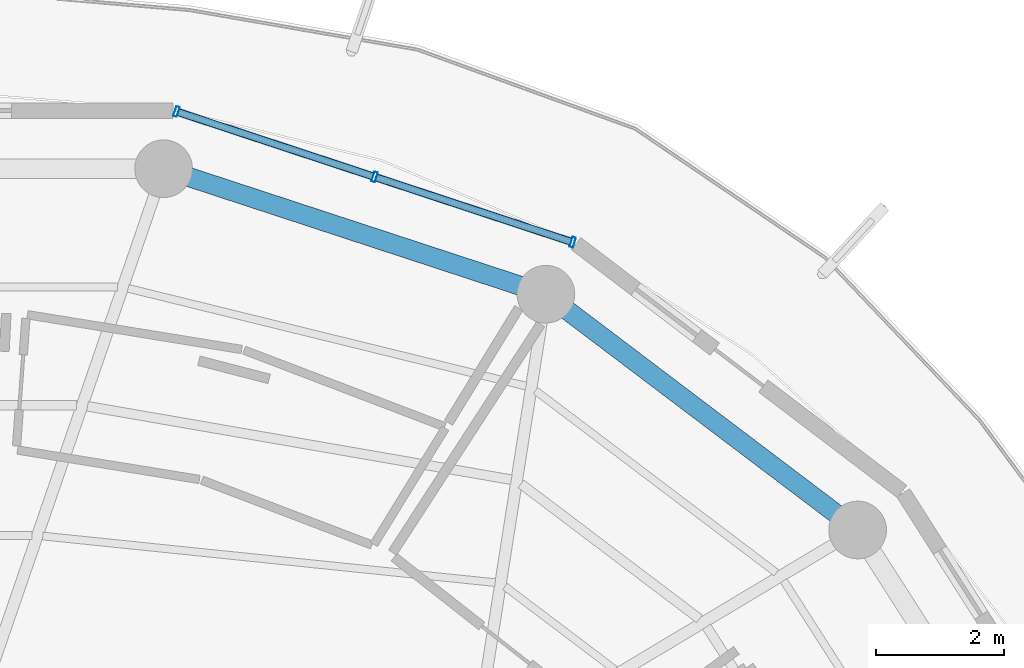
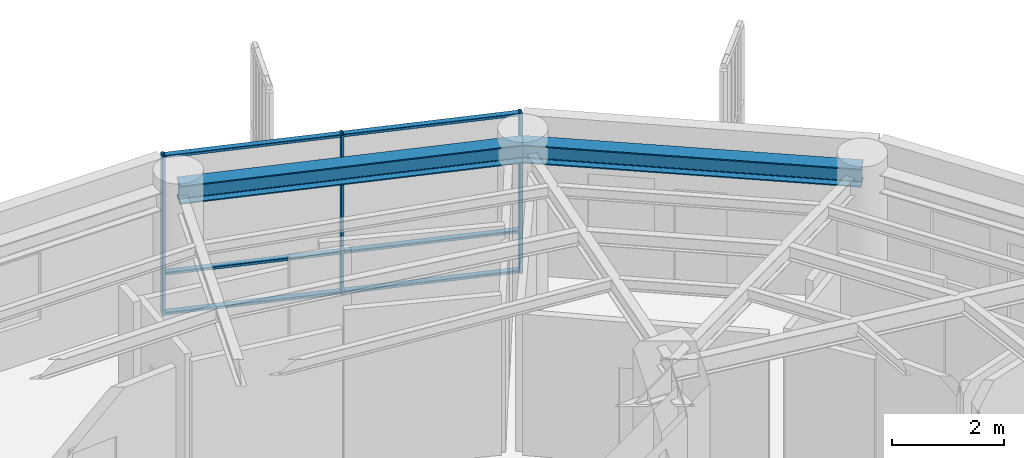
# One storey, part 13 of 22: 9 members, 2 beams, 1 element without a shape of its own.
"""IFC4 building model written with IfcOpenShell, lengths in metres."""

from ifc_helpers import new_model, si_unit, direction, frame, origin, origin_2d, place, context, subcontext, project, spatial, hollow_rectangle, i_section, extrude, material, layer, layer_set, material_profile, profile_set, type_object, element, aggregate, save


model = new_model("IFC4")

# Units and contexts
model_context = context("Model", 3, precision=1e-05, world=origin(), true_north=direction((0.0, 1.0)))
body_context = subcontext(model_context, "Body", "Model", "MODEL_VIEW")
ifc_project = project(units=[si_unit("LENGTHUNIT", "METRE"), si_unit("AREAUNIT", "SQUARE_METRE"), si_unit("VOLUMEUNIT", "CUBIC_METRE"), si_unit("PLANEANGLEUNIT", "RADIAN"), si_unit("MASSUNIT", "GRAM", prefix="KILO")], contexts=[model_context])

# Site, building, storey
site_placement = place(None, origin())
site = spatial("IfcSite", under=ifc_project, at=site_placement, CompositionType="ELEMENT")
building_placement = place(site_placement, origin())
building = spatial("IfcBuilding", under=site, at=building_placement, Name="Kelanora Arch Commons", CompositionType="ELEMENT")
storey_placement = place(building_placement, frame((0.0, 0.0, 267.449951171875)))
storey = spatial("IfcBuildingStorey", under=building, at=storey_placement, Name="L68", CompositionType="ELEMENT", Elevation=267.449951171875)

# Beams
ifc_material_1 = material(Name="Steel S355", Category="steel")
ifc_material_profile_1 = material_profile(ifc_material_1, i_section(OverallWidth=0.300048828125, OverallDepth=0.39990234375, WebThickness=0.013427734375, FlangeThickness=0.02392578125, FilletRadius=0.027099609375, at=origin_2d()), Name="HEB400")
ifc_profile_set_1 = profile_set([ifc_material_profile_1], Name="Steel S355")
beam_type = type_object("IfcBeamType", Name="BM-SPN-Z4", PredefinedType="SPANDREL", material=ifc_profile_set_1)
beam_1_placement = place(storey_placement, frame((88.00341796875, 68.593017578125, 3.2900390625), z_axis=(-0.797509460967, 0.603306439273, 0.0), x_axis=(-0.603306439273, -0.797509460967, 0.0)))
element("IfcBeam", 1, at=beam_1_placement, inside=storey, type_object=beam_type, Name="Perimeter Spandrel Beam BS-04 L68", PredefinedType="SPANDREL", context=body_context, shape_type="SweptSolid", body=[
    extrude(i_section(OverallWidth=0.300048828125, OverallDepth=0.39990234375, WebThickness=0.013427734375, FlangeThickness=0.02392578125, FilletRadius=0.027099609375, at=origin_2d()), origin(), (0.0, 0.0, 1.0), 6.098388671875),
])
beam_2_placement = place(storey_placement, frame((83.139892578125, 72.272216796875, 3.2900390625), z_axis=(-0.950165923039, 0.311744636996, 0.0), x_axis=(-0.311744636996, -0.950165923039, 0.0)))
element("IfcBeam", 2, at=beam_2_placement, inside=storey, type_object=beam_type, Name="Perimeter Spandrel Beam BS-06 L68", PredefinedType="SPANDREL", context=body_context, shape_type="SweptSolid", body=[
    extrude(i_section(OverallWidth=0.300048828125, OverallDepth=0.39990234375, WebThickness=0.013427734375, FlangeThickness=0.02392578125, FilletRadius=0.027099609375, at=origin_2d()), origin(), (0.0, 0.0, 1.0), 6.278564453125),
])

# Curtain wall, members
ifc_material_2 = material(Name="Terracotta ceramic-fritted low-E glass and aluminium", Category="masonry")
ifc_layer = layer(ifc_material_2, 0.18994140625)
ifc_layer_set = layer_set([ifc_layer], Name="Terracotta ceramic-fritted low-E glass and aluminium")
curtain_wall_type = type_object("IfcCurtainWallType", Name="CW-SYS-03", PredefinedType="NOTDEFINED", material=ifc_layer_set)
curtain_wall_placement = place(storey_placement, origin())
curtain_wall = element("IfcCurtainWall", 3, at=curtain_wall_placement, inside=storey, type_object=curtain_wall_type, Name="Unitised Curtain Wall L68-B03", PredefinedType="NOTDEFINED")
ifc_material_3 = material(Name="Powder-coated aluminium terracotta", Category="masonry")
ifc_material_profile_2 = material_profile(ifc_material_3, hollow_rectangle(XDim=0.159912109375, YDim=0.06005859375, WallThickness=0.0048828125, InnerFilletRadius=0.0048828125, OuterFilletRadius=0.010009765625, at=origin_2d()), Name="CWM160x60")
ifc_profile_set_2 = profile_set([ifc_material_profile_2], Name="Powder-coated aluminium terracotta")
member_type_1 = type_object("IfcMemberType", Name="CWM-STD", PredefinedType="MULLION", material=ifc_profile_set_2)
member_1_placement = place(storey_placement, frame((83.557373046875, 73.0830078125, 0.0), z_axis=(0.0, 0.0, 1.0), x_axis=(-0.313252785344, -0.949669780752, 0.0)))
member_1 = element("IfcMember", 4, at=member_1_placement, type_object=member_type_1, Name="CW-03 mullion 1", PredefinedType="MULLION", context=body_context, shape_type="SweptSolid", body=[
    extrude(hollow_rectangle(XDim=0.159912109375, YDim=0.06005859375, WallThickness=0.0048828125, InnerFilletRadius=0.0048828125, OuterFilletRadius=0.010009765625, at=origin_2d()), origin(), (0.0, 0.0, 1.0), 3.47509765625),
])
member_2_placement = place(storey_placement, frame((80.467041015625, 74.102294921875, 0.0), z_axis=(0.0, 0.0, 1.0), x_axis=(-0.313252785344, -0.949669780752, 0.0)))
member_2 = element("IfcMember", 5, at=member_2_placement, type_object=member_type_1, Name="CW-03 mullion 2", PredefinedType="MULLION", context=body_context, shape_type="SweptSolid", body=[
    extrude(hollow_rectangle(XDim=0.159912109375, YDim=0.06005859375, WallThickness=0.0048828125, InnerFilletRadius=0.0048828125, OuterFilletRadius=0.010009765625, at=origin_2d()), origin(), (0.0, 0.0, 1.0), 3.47509765625),
])
member_3_placement = place(storey_placement, frame((77.376708984375, 75.12158203125, 0.0), z_axis=(0.0, 0.0, 1.0), x_axis=(-0.313252785344, -0.949669780752, 0.0)))
member_3 = element("IfcMember", 6, at=member_3_placement, type_object=member_type_1, Name="CW-03 mullion 3", PredefinedType="MULLION", context=body_context, shape_type="SweptSolid", body=[
    extrude(hollow_rectangle(XDim=0.159912109375, YDim=0.06005859375, WallThickness=0.0048828125, InnerFilletRadius=0.0048828125, OuterFilletRadius=0.010009765625, at=origin_2d()), origin(), (0.0, 0.0, 1.0), 3.47509765625),
])
ifc_material_profile_3 = material_profile(ifc_material_3, hollow_rectangle(XDim=0.1201171875, YDim=0.06005859375, WallThickness=0.0048828125, InnerFilletRadius=0.0048828125, OuterFilletRadius=0.010009765625, at=origin_2d()), Name="CWT120x60")
ifc_profile_set_3 = profile_set([ifc_material_profile_3], Name="Powder-coated aluminium terracotta")
member_type_2 = type_object("IfcMemberType", Name="CWT-STD", PredefinedType="USERDEFINED", material=ifc_profile_set_3)
member_4_placement = place(storey_placement, frame((83.52880859375, 73.09228515625, 0.030029296875), z_axis=(-0.949672315102, 0.313245102003, 0.0), x_axis=(-0.313245102003, -0.949672315102, 0.0)))
member_4 = element("IfcMember", 7, at=member_4_placement, type_object=member_type_2, Name="CW-03 transom 1.1", ObjectType="TRANSOM", PredefinedType="USERDEFINED", context=body_context, shape_type="SweptSolid", body=[
    extrude(hollow_rectangle(XDim=0.1201171875, YDim=0.06005859375, WallThickness=0.0048828125, InnerFilletRadius=0.0048828125, OuterFilletRadius=0.010009765625, at=origin_2d()), origin(), (0.0, 0.0, 1.0), 3.19384765625),
])
member_5_placement = place(storey_placement, frame((83.52880859375, 73.09228515625, 0.900146484375), z_axis=(-0.949672315102, 0.313245102003, 0.0), x_axis=(-0.313245102003, -0.949672315102, 0.0)))
member_5 = element("IfcMember", 8, at=member_5_placement, type_object=member_type_2, Name="CW-03 transom 1.2", ObjectType="TRANSOM", PredefinedType="USERDEFINED", context=body_context, shape_type="SweptSolid", body=[
    extrude(hollow_rectangle(XDim=0.1201171875, YDim=0.06005859375, WallThickness=0.0048828125, InnerFilletRadius=0.0048828125, OuterFilletRadius=0.010009765625, at=origin_2d()), origin(), (0.0, 0.0, 1.0), 3.19384765625),
])
member_6_placement = place(storey_placement, frame((83.52880859375, 73.09228515625, 3.445068359375), z_axis=(-0.949672315102, 0.313245102003, 0.0), x_axis=(-0.313245102003, -0.949672315102, 0.0)))
member_6 = element("IfcMember", 9, at=member_6_placement, type_object=member_type_2, Name="CW-03 transom 1.3", ObjectType="TRANSOM", PredefinedType="USERDEFINED", context=body_context, shape_type="SweptSolid", body=[
    extrude(hollow_rectangle(XDim=0.1201171875, YDim=0.06005859375, WallThickness=0.0048828125, InnerFilletRadius=0.0048828125, OuterFilletRadius=0.010009765625, at=origin_2d()), origin(), (0.0, 0.0, 1.0), 3.19384765625),
])
member_7_placement = place(storey_placement, frame((80.4384765625, 74.111572265625, 0.030029296875), z_axis=(-0.949649574195, 0.313314037719, 0.0), x_axis=(-0.313314037719, -0.949649574195, 0.0)))
member_7 = element("IfcMember", 10, at=member_7_placement, type_object=member_type_2, Name="CW-03 transom 2.1", ObjectType="TRANSOM", PredefinedType="USERDEFINED", context=body_context, shape_type="SweptSolid", body=[
    extrude(hollow_rectangle(XDim=0.1201171875, YDim=0.06005859375, WallThickness=0.0048828125, InnerFilletRadius=0.0048828125, OuterFilletRadius=0.010009765625, at=origin_2d()), origin(), (0.0, 0.0, 1.0), 3.194091796875),
])
member_8_placement = place(storey_placement, frame((80.4384765625, 74.111572265625, 0.900146484375), z_axis=(-0.949649574195, 0.313314037719, 0.0), x_axis=(-0.313314037719, -0.949649574195, 0.0)))
member_8 = element("IfcMember", 11, at=member_8_placement, type_object=member_type_2, Name="CW-03 transom 2.2", ObjectType="TRANSOM", PredefinedType="USERDEFINED", context=body_context, shape_type="SweptSolid", body=[
    extrude(hollow_rectangle(XDim=0.1201171875, YDim=0.06005859375, WallThickness=0.0048828125, InnerFilletRadius=0.0048828125, OuterFilletRadius=0.010009765625, at=origin_2d()), origin(), (0.0, 0.0, 1.0), 3.194091796875),
])
member_9_placement = place(storey_placement, frame((80.4384765625, 74.111572265625, 3.445068359375), z_axis=(-0.949649574195, 0.313314037719, 0.0), x_axis=(-0.313314037719, -0.949649574195, 0.0)))
member_9 = element("IfcMember", 12, at=member_9_placement, type_object=member_type_2, Name="CW-03 transom 2.3", ObjectType="TRANSOM", PredefinedType="USERDEFINED", context=body_context, shape_type="SweptSolid", body=[
    extrude(hollow_rectangle(XDim=0.1201171875, YDim=0.06005859375, WallThickness=0.0048828125, InnerFilletRadius=0.0048828125, OuterFilletRadius=0.010009765625, at=origin_2d()), origin(), (0.0, 0.0, 1.0), 3.194091796875),
])
aggregate(curtain_wall, [member_1, member_2, member_3, member_4, member_5, member_6, member_7, member_8, member_9])

save(model, "model.ifc")
